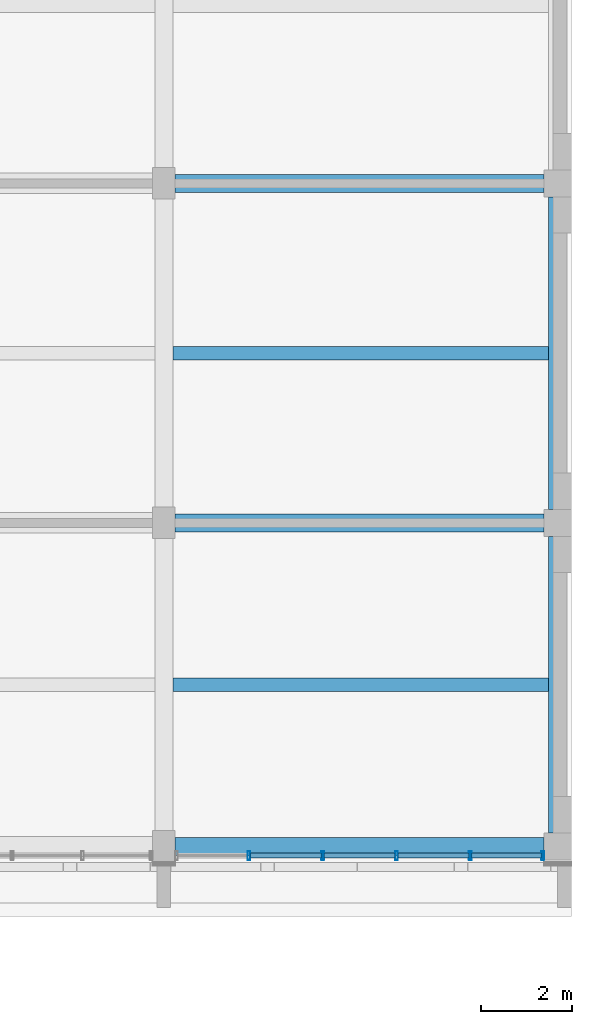
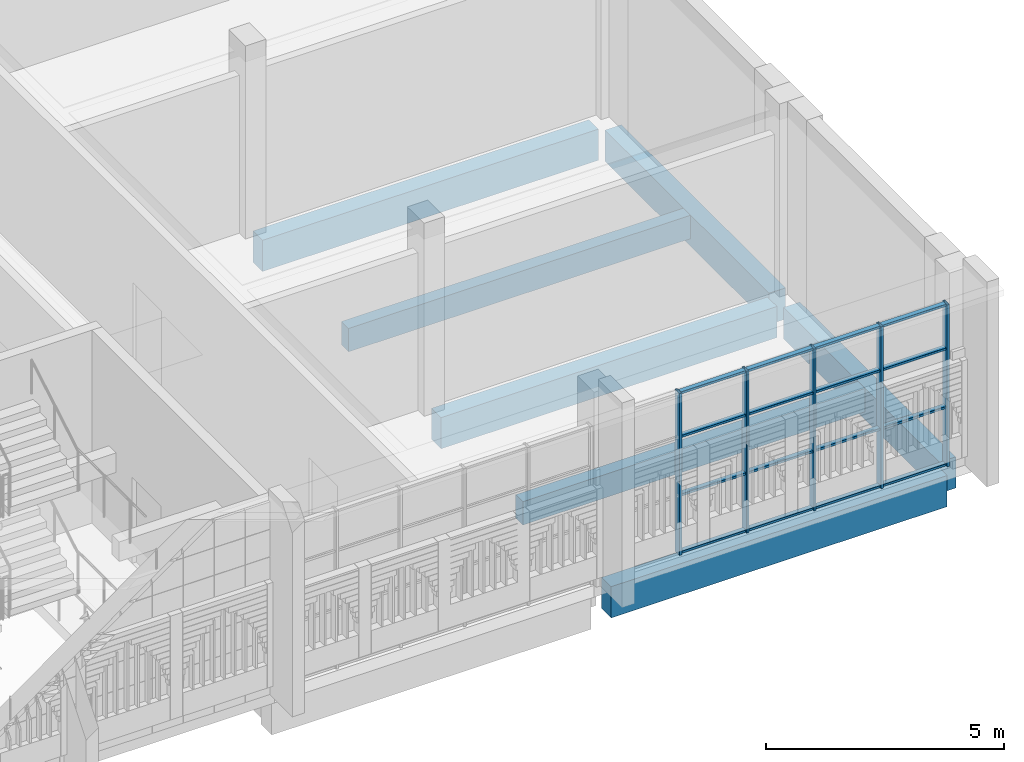
# One storey, part 34 of 125: 21 members, 7 beams, 1 element without a shape of its own.
"""IFC4 building model written with IfcOpenShell, lengths in metres."""

from ifc_helpers import new_model, si_unit, direction, frame, origin, origin_2d, place, context, subcontext, project, spatial, rectangle, hollow_rectangle, extrude, material, material_profile, profile_set, type_object, element, aggregate, save


model = new_model("IFC4")

# Units and contexts
model_context = context("Model", 3, precision=1e-05, world=origin(), true_north=direction((0.0, 1.0)))
body_context = subcontext(model_context, "Body", "Model", "MODEL_VIEW")
ifc_project = project(units=[si_unit("LENGTHUNIT", "METRE"), si_unit("AREAUNIT", "SQUARE_METRE"), si_unit("VOLUMEUNIT", "CUBIC_METRE"), si_unit("PLANEANGLEUNIT", "RADIAN"), si_unit("MASSUNIT", "GRAM", prefix="KILO")], contexts=[model_context])

# Site, building, storey
site_placement = place(None, origin())
site = spatial("IfcSite", under=ifc_project, at=site_placement, CompositionType="ELEMENT")
building_placement = place(site_placement, origin())
building = spatial("IfcBuilding", under=site, at=building_placement, Name="Sun Court Science Centre", CompositionType="ELEMENT")
storey_placement = place(building_placement, frame((0.0, 0.0, 6.0)))
storey = spatial("IfcBuildingStorey", under=building, at=storey_placement, Name="L01", CompositionType="ELEMENT", Elevation=6.0)

# Curtain wall, members
ifc_material_1 = material(Name="Aluminium EN AW-6063 T6", Category="aluminium")
curtain_wall_type = type_object("IfcCurtainWallType", Name="Laboratory tall bay curtain wall 1500", PredefinedType="NOTDEFINED", material=ifc_material_1)
curtain_wall_placement = place(storey_placement, origin())
curtain_wall = element("IfcCurtainWall", 1, at=curtain_wall_placement, inside=storey, type_object=curtain_wall_type, Name="Curtain wall V4 S L01 01", PredefinedType="NOTDEFINED")
ifc_material_2 = material(Name="Aluminium EN AW-6063 T6", Category="aluminium")
ifc_material_profile_1 = material_profile(ifc_material_2, hollow_rectangle(XDim=0.06005859375, YDim=0.199951171875, WallThickness=0.0048828125, InnerFilletRadius=0.0048828125, OuterFilletRadius=0.007568359375, at=origin_2d()), Name="AL 60x200x5")
ifc_profile_set_1 = profile_set([ifc_material_profile_1], Name="Aluminium EN AW-6063 T6")
member_type_1 = type_object("IfcMemberType", Name="Curtain wall mullion AL 60x200", PredefinedType="MULLION", material=ifc_profile_set_1)
member_1_placement = place(storey_placement, frame((96.8798828125, 6.14990234375, 0.0), z_axis=(0.0, 0.0, 1.0), x_axis=(-1.0, 0.0, 0.0)))
member_1 = element("IfcMember", 2, at=member_1_placement, type_object=member_type_1, Name="CW2-49 mullion 5", PredefinedType="MULLION", context=body_context, shape_type="SweptSolid", body=[
    extrude(hollow_rectangle(XDim=0.06005859375, YDim=0.199951171875, WallThickness=0.0048828125, InnerFilletRadius=0.0048828125, OuterFilletRadius=0.007568359375, at=origin_2d()), origin(), (0.0, 0.0, 1.0), 4.14990234375),
])
member_2_placement = place(storey_placement, frame((98.510009765625, 6.14990234375, 0.0), z_axis=(0.0, 0.0, 1.0), x_axis=(-1.0, 0.0, 0.0)))
member_2 = element("IfcMember", 3, at=member_2_placement, type_object=member_type_1, Name="CW2-49 mullion 4", PredefinedType="MULLION", context=body_context, shape_type="SweptSolid", body=[
    extrude(hollow_rectangle(XDim=0.06005859375, YDim=0.199951171875, WallThickness=0.0048828125, InnerFilletRadius=0.0048828125, OuterFilletRadius=0.007568359375, at=origin_2d()), origin(), (0.0, 0.0, 1.0), 4.14990234375),
])
member_3_placement = place(storey_placement, frame((100.139892578125, 6.14990234375, 0.0), z_axis=(0.0, 0.0, 1.0), x_axis=(-1.0, 0.0, 0.0)))
member_3 = element("IfcMember", 4, at=member_3_placement, type_object=member_type_1, Name="CW2-49 mullion 3", PredefinedType="MULLION", context=body_context, shape_type="SweptSolid", body=[
    extrude(hollow_rectangle(XDim=0.06005859375, YDim=0.199951171875, WallThickness=0.0048828125, InnerFilletRadius=0.0048828125, OuterFilletRadius=0.007568359375, at=origin_2d()), origin(), (0.0, 0.0, 1.0), 4.14990234375),
])
member_4_placement = place(storey_placement, frame((101.77001953125, 6.14990234375, 0.0), z_axis=(0.0, 0.0, 1.0), x_axis=(-1.0, 0.0, 0.0)))
member_4 = element("IfcMember", 5, at=member_4_placement, type_object=member_type_1, Name="CW2-49 mullion 2", PredefinedType="MULLION", context=body_context, shape_type="SweptSolid", body=[
    extrude(hollow_rectangle(XDim=0.06005859375, YDim=0.199951171875, WallThickness=0.0048828125, InnerFilletRadius=0.0048828125, OuterFilletRadius=0.007568359375, at=origin_2d()), origin(), (0.0, 0.0, 1.0), 4.14990234375),
])
member_5_placement = place(storey_placement, frame((103.3701171875, 6.14990234375, 0.0), z_axis=(0.0, 0.0, 1.0), x_axis=(-1.0, 0.0, 0.0)))
member_5 = element("IfcMember", 6, at=member_5_placement, type_object=member_type_1, Name="CW2-49 mullion 1", PredefinedType="MULLION", context=body_context, shape_type="SweptSolid", body=[
    extrude(hollow_rectangle(XDim=0.06005859375, YDim=0.199951171875, WallThickness=0.0048828125, InnerFilletRadius=0.0048828125, OuterFilletRadius=0.007568359375, at=origin_2d()), origin(), (0.0, 0.0, 1.0), 4.14990234375),
])
ifc_material_3 = material(Name="Aluminium EN AW-6063 T6", Category="aluminium")
ifc_material_profile_2 = material_profile(ifc_material_3, hollow_rectangle(XDim=0.06005859375, YDim=0.1201171875, WallThickness=0.00390625, InnerFilletRadius=0.00390625, OuterFilletRadius=0.006103515625, at=origin_2d()), Name="AL 60x120x4")
ifc_profile_set_2 = profile_set([ifc_material_profile_2], Name="Aluminium EN AW-6063 T6")
member_type_2 = type_object("IfcMemberType", Name="Curtain wall transom AL 60x120", PredefinedType="USERDEFINED", material=ifc_profile_set_2)
member_6_placement = place(storey_placement, frame((98.47998046875, 6.14990234375, 0.030029296875), z_axis=(-1.0, 0.0, 0.0), x_axis=(0.0, 0.0, 1.0)))
member_6 = element("IfcMember", 7, at=member_6_placement, type_object=member_type_2, Name="CW2-49 transom 4.1", ObjectType="TRANSOM", PredefinedType="USERDEFINED", context=body_context, shape_type="SweptSolid", body=[
    extrude(hollow_rectangle(XDim=0.06005859375, YDim=0.1201171875, WallThickness=0.00390625, InnerFilletRadius=0.00390625, OuterFilletRadius=0.006103515625, at=origin_2d()), origin(), (0.0, 0.0, 1.0), 1.570068359375),
])
member_7_placement = place(storey_placement, frame((100.110107421875, 6.14990234375, 0.030029296875), z_axis=(-1.0, 0.0, 0.0), x_axis=(0.0, 0.0, 1.0)))
member_7 = element("IfcMember", 8, at=member_7_placement, type_object=member_type_2, Name="CW2-49 transom 3.1", ObjectType="TRANSOM", PredefinedType="USERDEFINED", context=body_context, shape_type="SweptSolid", body=[
    extrude(hollow_rectangle(XDim=0.06005859375, YDim=0.1201171875, WallThickness=0.00390625, InnerFilletRadius=0.00390625, OuterFilletRadius=0.006103515625, at=origin_2d()), origin(), (0.0, 0.0, 1.0), 1.570068359375),
])
member_8_placement = place(storey_placement, frame((101.739990234375, 6.14990234375, 0.030029296875), z_axis=(-1.0, 0.0, 0.0), x_axis=(0.0, 0.0, 1.0)))
member_8 = element("IfcMember", 9, at=member_8_placement, type_object=member_type_2, Name="CW2-49 transom 2.1", ObjectType="TRANSOM", PredefinedType="USERDEFINED", context=body_context, shape_type="SweptSolid", body=[
    extrude(hollow_rectangle(XDim=0.06005859375, YDim=0.1201171875, WallThickness=0.00390625, InnerFilletRadius=0.00390625, OuterFilletRadius=0.006103515625, at=origin_2d()), origin(), (0.0, 0.0, 1.0), 1.570068359375),
])
member_9_placement = place(storey_placement, frame((103.340087890625, 6.14990234375, 0.030029296875), z_axis=(-1.0, 0.0, 0.0), x_axis=(0.0, 0.0, 1.0)))
member_9 = element("IfcMember", 10, at=member_9_placement, type_object=member_type_2, Name="CW2-49 transom 1.1", ObjectType="TRANSOM", PredefinedType="USERDEFINED", context=body_context, shape_type="SweptSolid", body=[
    extrude(hollow_rectangle(XDim=0.06005859375, YDim=0.1201171875, WallThickness=0.00390625, InnerFilletRadius=0.00390625, OuterFilletRadius=0.006103515625, at=origin_2d()), origin(), (0.0, 0.0, 1.0), 1.5400390625),
])
member_10_placement = place(storey_placement, frame((98.47998046875, 6.14990234375, 1.5), z_axis=(-1.0, 0.0, 0.0), x_axis=(0.0, 0.0, 1.0)))
member_10 = element("IfcMember", 11, at=member_10_placement, type_object=member_type_2, Name="CW2-49 transom 4.2", ObjectType="TRANSOM", PredefinedType="USERDEFINED", context=body_context, shape_type="SweptSolid", body=[
    extrude(hollow_rectangle(XDim=0.06005859375, YDim=0.1201171875, WallThickness=0.00390625, InnerFilletRadius=0.00390625, OuterFilletRadius=0.006103515625, at=origin_2d()), origin(), (0.0, 0.0, 1.0), 1.570068359375),
])
member_11_placement = place(storey_placement, frame((100.110107421875, 6.14990234375, 1.5), z_axis=(-1.0, 0.0, 0.0), x_axis=(0.0, 0.0, 1.0)))
member_11 = element("IfcMember", 12, at=member_11_placement, type_object=member_type_2, Name="CW2-49 transom 3.2", ObjectType="TRANSOM", PredefinedType="USERDEFINED", context=body_context, shape_type="SweptSolid", body=[
    extrude(hollow_rectangle(XDim=0.06005859375, YDim=0.1201171875, WallThickness=0.00390625, InnerFilletRadius=0.00390625, OuterFilletRadius=0.006103515625, at=origin_2d()), origin(), (0.0, 0.0, 1.0), 1.570068359375),
])
member_12_placement = place(storey_placement, frame((101.739990234375, 6.14990234375, 1.5), z_axis=(-1.0, 0.0, 0.0), x_axis=(0.0, 0.0, 1.0)))
member_12 = element("IfcMember", 13, at=member_12_placement, type_object=member_type_2, Name="CW2-49 transom 2.2", ObjectType="TRANSOM", PredefinedType="USERDEFINED", context=body_context, shape_type="SweptSolid", body=[
    extrude(hollow_rectangle(XDim=0.06005859375, YDim=0.1201171875, WallThickness=0.00390625, InnerFilletRadius=0.00390625, OuterFilletRadius=0.006103515625, at=origin_2d()), origin(), (0.0, 0.0, 1.0), 1.570068359375),
])
member_13_placement = place(storey_placement, frame((103.340087890625, 6.14990234375, 1.5), z_axis=(-1.0, 0.0, 0.0), x_axis=(0.0, 0.0, 1.0)))
member_13 = element("IfcMember", 14, at=member_13_placement, type_object=member_type_2, Name="CW2-49 transom 1.2", ObjectType="TRANSOM", PredefinedType="USERDEFINED", context=body_context, shape_type="SweptSolid", body=[
    extrude(hollow_rectangle(XDim=0.06005859375, YDim=0.1201171875, WallThickness=0.00390625, InnerFilletRadius=0.00390625, OuterFilletRadius=0.006103515625, at=origin_2d()), origin(), (0.0, 0.0, 1.0), 1.5400390625),
])
member_14_placement = place(storey_placement, frame((98.47998046875, 6.14990234375, 3.0), z_axis=(-1.0, 0.0, 0.0), x_axis=(0.0, 0.0, 1.0)))
member_14 = element("IfcMember", 15, at=member_14_placement, type_object=member_type_2, Name="CW2-49 transom 4.3", ObjectType="TRANSOM", PredefinedType="USERDEFINED", context=body_context, shape_type="SweptSolid", body=[
    extrude(hollow_rectangle(XDim=0.06005859375, YDim=0.1201171875, WallThickness=0.00390625, InnerFilletRadius=0.00390625, OuterFilletRadius=0.006103515625, at=origin_2d()), origin(), (0.0, 0.0, 1.0), 1.570068359375),
])
member_15_placement = place(storey_placement, frame((100.110107421875, 6.14990234375, 3.0), z_axis=(-1.0, 0.0, 0.0), x_axis=(0.0, 0.0, 1.0)))
member_15 = element("IfcMember", 16, at=member_15_placement, type_object=member_type_2, Name="CW2-49 transom 3.3", ObjectType="TRANSOM", PredefinedType="USERDEFINED", context=body_context, shape_type="SweptSolid", body=[
    extrude(hollow_rectangle(XDim=0.06005859375, YDim=0.1201171875, WallThickness=0.00390625, InnerFilletRadius=0.00390625, OuterFilletRadius=0.006103515625, at=origin_2d()), origin(), (0.0, 0.0, 1.0), 1.570068359375),
])
member_16_placement = place(storey_placement, frame((101.739990234375, 6.14990234375, 3.0), z_axis=(-1.0, 0.0, 0.0), x_axis=(0.0, 0.0, 1.0)))
member_16 = element("IfcMember", 17, at=member_16_placement, type_object=member_type_2, Name="CW2-49 transom 2.3", ObjectType="TRANSOM", PredefinedType="USERDEFINED", context=body_context, shape_type="SweptSolid", body=[
    extrude(hollow_rectangle(XDim=0.06005859375, YDim=0.1201171875, WallThickness=0.00390625, InnerFilletRadius=0.00390625, OuterFilletRadius=0.006103515625, at=origin_2d()), origin(), (0.0, 0.0, 1.0), 1.570068359375),
])
member_17_placement = place(storey_placement, frame((103.340087890625, 6.14990234375, 3.0), z_axis=(-1.0, 0.0, 0.0), x_axis=(0.0, 0.0, 1.0)))
member_17 = element("IfcMember", 18, at=member_17_placement, type_object=member_type_2, Name="CW2-49 transom 1.3", ObjectType="TRANSOM", PredefinedType="USERDEFINED", context=body_context, shape_type="SweptSolid", body=[
    extrude(hollow_rectangle(XDim=0.06005859375, YDim=0.1201171875, WallThickness=0.00390625, InnerFilletRadius=0.00390625, OuterFilletRadius=0.006103515625, at=origin_2d()), origin(), (0.0, 0.0, 1.0), 1.5400390625),
])
member_18_placement = place(storey_placement, frame((98.47998046875, 6.14990234375, 4.1201171875), z_axis=(-1.0, 0.0, 0.0), x_axis=(0.0, 0.0, 1.0)))
member_18 = element("IfcMember", 19, at=member_18_placement, type_object=member_type_2, Name="CW2-49 transom 4.4", ObjectType="TRANSOM", PredefinedType="USERDEFINED", context=body_context, shape_type="SweptSolid", body=[
    extrude(hollow_rectangle(XDim=0.06005859375, YDim=0.1201171875, WallThickness=0.00390625, InnerFilletRadius=0.00390625, OuterFilletRadius=0.006103515625, at=origin_2d()), origin(), (0.0, 0.0, 1.0), 1.570068359375),
])
member_19_placement = place(storey_placement, frame((100.110107421875, 6.14990234375, 4.1201171875), z_axis=(-1.0, 0.0, 0.0), x_axis=(0.0, 0.0, 1.0)))
member_19 = element("IfcMember", 20, at=member_19_placement, type_object=member_type_2, Name="CW2-49 transom 3.4", ObjectType="TRANSOM", PredefinedType="USERDEFINED", context=body_context, shape_type="SweptSolid", body=[
    extrude(hollow_rectangle(XDim=0.06005859375, YDim=0.1201171875, WallThickness=0.00390625, InnerFilletRadius=0.00390625, OuterFilletRadius=0.006103515625, at=origin_2d()), origin(), (0.0, 0.0, 1.0), 1.570068359375),
])
member_20_placement = place(storey_placement, frame((101.739990234375, 6.14990234375, 4.1201171875), z_axis=(-1.0, 0.0, 0.0), x_axis=(0.0, 0.0, 1.0)))
member_20 = element("IfcMember", 21, at=member_20_placement, type_object=member_type_2, Name="CW2-49 transom 2.4", ObjectType="TRANSOM", PredefinedType="USERDEFINED", context=body_context, shape_type="SweptSolid", body=[
    extrude(hollow_rectangle(XDim=0.06005859375, YDim=0.1201171875, WallThickness=0.00390625, InnerFilletRadius=0.00390625, OuterFilletRadius=0.006103515625, at=origin_2d()), origin(), (0.0, 0.0, 1.0), 1.570068359375),
])
member_21_placement = place(storey_placement, frame((103.340087890625, 6.14990234375, 4.1201171875), z_axis=(-1.0, 0.0, 0.0), x_axis=(0.0, 0.0, 1.0)))
member_21 = element("IfcMember", 22, at=member_21_placement, type_object=member_type_2, Name="CW2-49 transom 1.4", ObjectType="TRANSOM", PredefinedType="USERDEFINED", context=body_context, shape_type="SweptSolid", body=[
    extrude(hollow_rectangle(XDim=0.06005859375, YDim=0.1201171875, WallThickness=0.00390625, InnerFilletRadius=0.00390625, OuterFilletRadius=0.006103515625, at=origin_2d()), origin(), (0.0, 0.0, 1.0), 1.5400390625),
])
aggregate(curtain_wall, [member_1, member_2, member_3, member_4, member_5, member_6, member_7, member_8, member_9, member_10, member_11, member_12, member_13, member_14, member_15, member_16, member_17, member_18, member_19, member_20, member_21])

# Beams
ifc_material_4 = material(Name="Concrete C25/30", Category="concrete")
ifc_material_profile_3 = material_profile(ifc_material_4, rectangle(XDim=0.39990234375, YDim=0.800048828125, at=origin_2d()), Name="RC 400x800")
ifc_profile_set_3 = profile_set([ifc_material_profile_3], Name="Concrete C25/30")
beam_type_1 = type_object("IfcBeamType", Name="RC girder 400x800", PredefinedType="BEAM", material=ifc_profile_set_3)
for number, where, z_axis, x_axis, name in (
    (23, (95.25, 6.35009765625, -0.699951171875), (1.0, 0.0, 0.0), (0.0, 1.0, 0.0), "Girder L01 row 1"),
    (24, (95.25, 13.5, -0.699951171875), (1.0, 0.0, 0.0), (0.0, 1.0, 0.0), "Girder L01 row 2"),
    (25, (95.25, 21.0, -0.699951171875), (1.0, 0.0, 0.0), (0.0, 1.0, 0.0), "Girder L01 row 3"),
):
    element("IfcBeam", number, at=place(storey_placement, frame(where, z_axis=z_axis, x_axis=x_axis)), inside=storey, type_object=beam_type_1, Name=name, PredefinedType="BEAM", context=body_context, shape_type="SweptSolid", body=[
        extrude(rectangle(XDim=0.39990234375, YDim=0.800048828125, at=origin_2d()), origin(), (0.0, 0.0, 1.0), 8.14990234375),
    ])
beam_1_placement = place(storey_placement, frame((103.699951171875, 6.64990234375, -0.699951171875), z_axis=(0.0, 1.0, 0.0), x_axis=(-1.0, 0.0, 0.0)))
element("IfcBeam", 26, at=beam_1_placement, inside=storey, type_object=beam_type_1, Name="Girder L01 line 4", PredefinedType="BEAM", context=body_context, shape_type="SweptSolid", body=[
    extrude(rectangle(XDim=0.39990234375, YDim=0.800048828125, at=origin_2d()), origin(), (0.0, 0.0, 1.0), 6.550048828125),
])
beam_2_placement = place(storey_placement, frame((103.699951171875, 13.800048828125, -0.699951171875), z_axis=(0.0, 1.0, 0.0), x_axis=(-1.0, 0.0, 0.0)))
element("IfcBeam", 27, at=beam_2_placement, inside=storey, type_object=beam_type_1, Name="Girder L01 line 4", PredefinedType="BEAM", context=body_context, shape_type="SweptSolid", body=[
    extrude(rectangle(XDim=0.39990234375, YDim=0.800048828125, at=origin_2d()), origin(), (0.0, 0.0, 1.0), 6.89990234375),
])
ifc_material_5 = material(Name="Concrete C25/30", Category="concrete")
ifc_material_profile_4 = material_profile(ifc_material_5, rectangle(XDim=0.300048828125, YDim=0.60009765625, at=origin_2d()), Name="RC 300x600")
ifc_profile_set_4 = profile_set([ifc_material_profile_4], Name="Concrete C25/30")
beam_type_2 = type_object("IfcBeamType", Name="RC joist 300x600", PredefinedType="JOIST", material=ifc_profile_set_4)
for number, where, z_axis, x_axis, name in (
    (28, (95.199951171875, 9.925048828125, -0.60009765625), (1.0, 0.0, 0.0), (0.0, 1.0, 0.0), "Joist L01"),
    (29, (95.199951171875, 17.25, -0.60009765625), (1.0, 0.0, 0.0), (0.0, 1.0, 0.0), "Joist L01"),
):
    element("IfcBeam", number, at=place(storey_placement, frame(where, z_axis=z_axis, x_axis=x_axis)), inside=storey, type_object=beam_type_2, Name=name, PredefinedType="JOIST", context=body_context, shape_type="SweptSolid", body=[
        extrude(rectangle(XDim=0.300048828125, YDim=0.60009765625, at=origin_2d()), origin(), (0.0, 0.0, 1.0), 8.300048828125),
    ])

save(model, "model.ifc")
